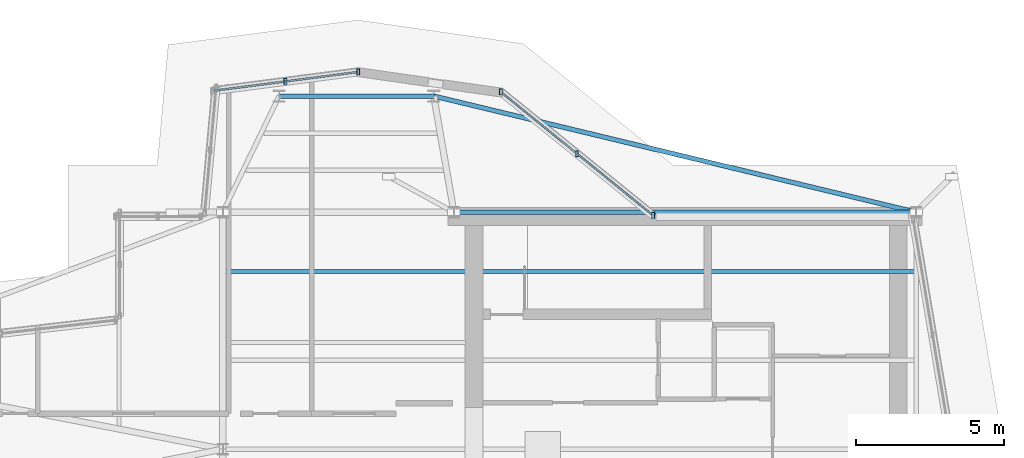
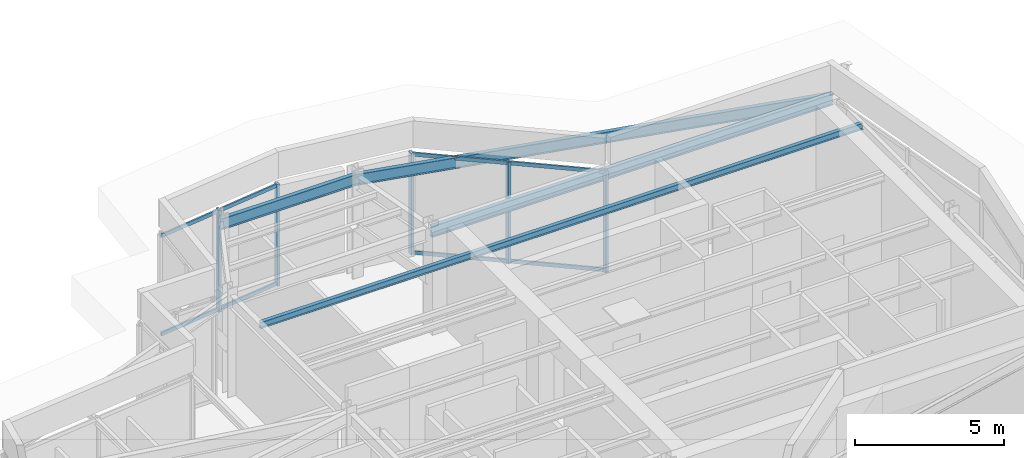
# One storey, part 6 of 11: 10 members, 3 beams, 2 elements without a shape of their own.
"""IFC4 building model written with IfcOpenShell, lengths in metres."""

from ifc_helpers import new_model, si_unit, direction, frame, origin, origin_2d, place, context, subcontext, project, spatial, hollow_rectangle, i_section, extrude, material, layer, layer_set, material_profile, profile_set, type_object, element, aggregate, save


model = new_model("IFC4")

# Units and contexts
model_context = context("Model", 3, precision=1e-05, world=origin(), true_north=direction((0.0, 1.0)))
body_context = subcontext(model_context, "Body", "Model", "MODEL_VIEW")
ifc_project = project(units=[si_unit("LENGTHUNIT", "METRE"), si_unit("AREAUNIT", "SQUARE_METRE"), si_unit("VOLUMEUNIT", "CUBIC_METRE"), si_unit("PLANEANGLEUNIT", "RADIAN"), si_unit("MASSUNIT", "GRAM", prefix="KILO")], contexts=[model_context])

# Site, building, storey
site_placement = place(None, origin())
site = spatial("IfcSite", under=ifc_project, at=site_placement, CompositionType="ELEMENT")
building_placement = place(site_placement, origin())
building = spatial("IfcBuilding", under=site, at=building_placement, Name="Veymaron Broadcast Tower", CompositionType="ELEMENT")
storey_placement = place(building_placement, frame((0.0, 0.0, 336.89990234375)))
storey = spatial("IfcBuildingStorey", under=building, at=storey_placement, Name="L79", CompositionType="ELEMENT", Elevation=336.89990234375)

# Beams
ifc_material_1 = material(Name="Structural steel ASTM A992 Gr 50", Category="steel")
ifc_material_profile_1 = material_profile(ifc_material_1, i_section(OverallWidth=0.154052734375, OverallDepth=0.458984375, WebThickness=0.009033203125, FlangeThickness=0.015380859375, at=origin_2d()), Name="W460X68")
ifc_profile_set_1 = profile_set([ifc_material_profile_1], Name="Structural steel ASTM A992 Gr 50")
beam_type = type_object("IfcBeamType", Name="BM-SP2", PredefinedType="SPANDREL", material=ifc_profile_set_1)
beam_1_placement = place(storey_placement, frame((39.0, 32.0, 3.940673828125), z_axis=(1.0, 0.0, 0.0), x_axis=(0.0, 1.0, 0.0)))
element("IfcBeam", 1, at=beam_1_placement, inside=storey, type_object=beam_type, Name="L79 primary structural floor girder", PredefinedType="SPANDREL", context=body_context, shape_type="SweptSolid", body=[
    extrude(i_section(OverallWidth=0.154052734375, OverallDepth=0.458984375, WebThickness=0.009033203125, FlangeThickness=0.015380859375, at=origin_2d()), origin(), (0.0, 0.0, 1.0), 15.60009765625),
])
beam_2_placement = place(storey_placement, frame((54.60009765625, 32.0, 3.940673828125), z_axis=(-0.972214727981, 0.23409084283, 0.0), x_axis=(-0.23409084283, -0.972214727981, 0.0)))
element("IfcBeam", 2, at=beam_2_placement, inside=storey, type_object=beam_type, Name="L79 primary structural floor girder", PredefinedType="SPANDREL", context=body_context, shape_type="SweptSolid", body=[
    extrude(i_section(OverallWidth=0.154052734375, OverallDepth=0.458984375, WebThickness=0.009033203125, FlangeThickness=0.015380859375, at=origin_2d()), origin(), (0.0, 0.0, 1.0), 16.745361328125),
])
beam_3_placement = place(storey_placement, frame((33.10400390625, 35.919921875, 3.940673828125), z_axis=(1.0, 0.0, 0.0), x_axis=(0.0, 1.0, 0.0)))
element("IfcBeam", 3, at=beam_3_placement, inside=storey, type_object=beam_type, Name="L79 primary structural floor girder", PredefinedType="SPANDREL", context=body_context, shape_type="SweptSolid", body=[
    extrude(i_section(OverallWidth=0.154052734375, OverallDepth=0.458984375, WebThickness=0.009033203125, FlangeThickness=0.015380859375, at=origin_2d()), origin(), (0.0, 0.0, 1.0), 5.216064453125),
])

# Curtain wall, members
ifc_material_2 = material(Name="Anodised aluminium AA 6063-T6 and laminated low-E dark glass", Category="aluminium")
ifc_layer = layer(ifc_material_2, 0.179931640625)
ifc_layer_set = layer_set([ifc_layer], Name="Anodised aluminium AA 6063-T6 and laminated low-E dark glass")
curtain_wall_type = type_object("IfcCurtainWallType", Name="CW-SYS-07", PredefinedType="NOTDEFINED", material=ifc_layer_set)
curtain_wall_1_placement = place(storey_placement, origin())
curtain_wall_1 = element("IfcCurtainWall", 4, at=curtain_wall_1_placement, inside=storey, type_object=curtain_wall_type, Name="L79 dark-glass curtain wall CW-L79-E5-1", PredefinedType="NOTDEFINED")
ifc_material_3 = material(Name="Anodised aluminium AA 6063-T6", Category="aluminium")
ifc_material_profile_2 = material_profile(ifc_material_3, hollow_rectangle(XDim=0.10009765625, YDim=0.199951171875, WallThickness=0.010009765625, at=origin_2d()), Name="RHS200X100X10")
ifc_profile_set_2 = profile_set([ifc_material_profile_2], Name="Anodised aluminium AA 6063-T6")
member_type_1 = type_object("IfcMemberType", Name="CW-MUL-01", PredefinedType="MULLION", material=ifc_profile_set_2)
member_1_placement = place(storey_placement, frame((45.724853515625, 31.89111328125, 0.0), z_axis=(0.0, 0.0, 1.0), x_axis=(1.0, 0.0, 0.0)))
member_1 = element("IfcMember", 5, at=member_1_placement, type_object=member_type_1, Name="CW-L79-E5-1 mullion 0", PredefinedType="MULLION", context=body_context, shape_type="SweptSolid", body=[
    extrude(hollow_rectangle(XDim=0.10009765625, YDim=0.199951171875, WallThickness=0.010009765625, at=origin_2d()), origin(), (0.0, 0.0, 1.0), 4.170166015625),
])
member_2_placement = place(storey_placement, frame((43.154296875, 33.97509765625, 0.0), z_axis=(0.0, 0.0, 1.0), x_axis=(1.0, 0.0, 0.0)))
member_2 = element("IfcMember", 6, at=member_2_placement, type_object=member_type_1, Name="CW-L79-E5-1 mullion 1", PredefinedType="MULLION", context=body_context, shape_type="SweptSolid", body=[
    extrude(hollow_rectangle(XDim=0.10009765625, YDim=0.199951171875, WallThickness=0.010009765625, at=origin_2d()), origin(), (0.0, 0.0, 1.0), 4.170166015625),
])
member_3_placement = place(storey_placement, frame((40.58349609375, 36.05908203125, 0.0), z_axis=(0.0, 0.0, 1.0), x_axis=(1.0, 0.0, 0.0)))
member_3 = element("IfcMember", 7, at=member_3_placement, type_object=member_type_1, Name="CW-L79-E5-1 mullion 2", PredefinedType="MULLION", context=body_context, shape_type="SweptSolid", body=[
    extrude(hollow_rectangle(XDim=0.10009765625, YDim=0.199951171875, WallThickness=0.010009765625, at=origin_2d()), origin(), (0.0, 0.0, 1.0), 4.170166015625),
])

curtain_wall_2_placement = place(storey_placement, origin())
curtain_wall_2 = element("IfcCurtainWall", 8, at=curtain_wall_2_placement, inside=storey, type_object=curtain_wall_type, Name="L79 dark-glass curtain wall CW-L79-E7-1", PredefinedType="NOTDEFINED")
member_4_placement = place(storey_placement, frame((35.77001953125, 36.733154296875, 0.0), z_axis=(0.0, 0.0, 1.0), x_axis=(1.0, 0.0, 0.0)))
member_4 = element("IfcMember", 9, at=member_4_placement, type_object=member_type_1, Name="CW-L79-E7-1 mullion 0", PredefinedType="MULLION", context=body_context, shape_type="SweptSolid", body=[
    extrude(hollow_rectangle(XDim=0.10009765625, YDim=0.199951171875, WallThickness=0.010009765625, at=origin_2d()), origin(), (0.0, 0.0, 1.0), 4.170166015625),
])
member_5_placement = place(storey_placement, frame((33.310302734375, 36.4130859375, 0.0), z_axis=(0.0, 0.0, 1.0), x_axis=(1.0, 0.0, 0.0)))
member_5 = element("IfcMember", 10, at=member_5_placement, type_object=member_type_1, Name="CW-L79-E7-1 mullion 1", PredefinedType="MULLION", context=body_context, shape_type="SweptSolid", body=[
    extrude(hollow_rectangle(XDim=0.10009765625, YDim=0.199951171875, WallThickness=0.010009765625, at=origin_2d()), origin(), (0.0, 0.0, 1.0), 4.170166015625),
])

# Member
ifc_material_profile_3 = material_profile(ifc_material_3, hollow_rectangle(XDim=0.06494140625, YDim=0.14990234375, WallThickness=0.00390625, at=origin_2d()), Name="AL150X65X4")
ifc_profile_set_3 = profile_set([ifc_material_profile_3], Name="Anodised aluminium AA 6063-T6")
member_type_2 = type_object("IfcMemberType", Name="CW-TRN-01", PredefinedType="USERDEFINED", material=ifc_profile_set_3)
member_6_placement = place(storey_placement, frame((45.68603515625, 31.922607421875, 0.070068359375), z_axis=(-0.776811207075, 0.629733553626, 0.0), x_axis=(-0.629733553626, -0.776811207075, 0.0)))
member_6 = element("IfcMember", 11, at=member_6_placement, type_object=member_type_2, Name="CW-L79-E5-1 transom B", ObjectType="TRANSOM", PredefinedType="USERDEFINED", context=body_context, shape_type="SweptSolid", body=[
    extrude(hollow_rectangle(XDim=0.06494140625, YDim=0.14990234375, WallThickness=0.00390625, at=origin_2d()), origin(), (0.0, 0.0, 1.0), 6.5185546875),
])

member_7_placement = place(storey_placement, frame((45.68603515625, 31.922607421875, 4.10009765625), z_axis=(-0.776811207075, 0.629733553626, 0.0), x_axis=(-0.629733553626, -0.776811207075, 0.0)))
member_7 = element("IfcMember", 12, at=member_7_placement, type_object=member_type_2, Name="CW-L79-E5-1 transom T", ObjectType="TRANSOM", PredefinedType="USERDEFINED", context=body_context, shape_type="SweptSolid", body=[
    extrude(hollow_rectangle(XDim=0.06494140625, YDim=0.14990234375, WallThickness=0.00390625, at=origin_2d()), origin(), (0.0, 0.0, 1.0), 6.5185546875),
])

aggregate(curtain_wall_1, [member_1, member_2, member_3, member_6, member_7])

member_8_placement = place(storey_placement, frame((35.720458984375, 36.726806640625, 0.070068359375), z_axis=(-0.991640971684, -0.129027839154, 0.0), x_axis=(0.129027839154, -0.991640971684, 0.0)))
member_8 = element("IfcMember", 13, at=member_8_placement, type_object=member_type_2, Name="CW-L79-E7-1 transom B", ObjectType="TRANSOM", PredefinedType="USERDEFINED", context=body_context, shape_type="SweptSolid", body=[
    extrude(hollow_rectangle(XDim=0.06494140625, YDim=0.14990234375, WallThickness=0.00390625, at=origin_2d()), origin(), (0.0, 0.0, 1.0), 4.86083984375),
])

member_9_placement = place(storey_placement, frame((35.720458984375, 36.726806640625, 4.10009765625), z_axis=(-0.991640971684, -0.129027839154, 0.0), x_axis=(0.129027839154, -0.991640971684, 0.0)))
member_9 = element("IfcMember", 14, at=member_9_placement, type_object=member_type_2, Name="CW-L79-E7-1 transom T", ObjectType="TRANSOM", PredefinedType="USERDEFINED", context=body_context, shape_type="SweptSolid", body=[
    extrude(hollow_rectangle(XDim=0.06494140625, YDim=0.14990234375, WallThickness=0.00390625, at=origin_2d()), origin(), (0.0, 0.0, 1.0), 4.86083984375),
])

aggregate(curtain_wall_2, [member_4, member_5, member_8, member_9])

ifc_material_profile_4 = material_profile(ifc_material_1, i_section(OverallWidth=0.14599609375, OverallDepth=0.258056640625, WebThickness=0.006103515625, FlangeThickness=0.009033203125, at=origin_2d()), Name="W250X33")
ifc_profile_set_4 = profile_set([ifc_material_profile_4], Name="Structural steel ASTM A992 Gr 50")
member_type_3 = type_object("IfcMemberType", Name="MEM-PR1", PredefinedType="PURLIN", material=ifc_profile_set_4)
member_10_placement = place(storey_placement, frame((31.199951171875, 30.0, 4.0400390625), z_axis=(1.0, 0.0, 0.0), x_axis=(0.0, 1.0, 0.0)))
element("IfcMember", 15, at=member_10_placement, inside=storey, type_object=member_type_3, Name="L79 Crown Parasol Canopy Purlin 5", PredefinedType="PURLIN", context=body_context, shape_type="SweptSolid", body=[
    extrude(i_section(OverallWidth=0.14599609375, OverallDepth=0.258056640625, WebThickness=0.006103515625, FlangeThickness=0.009033203125, at=origin_2d()), origin(), (0.0, 0.0, 1.0), 23.400146484375),
])

save(model, "model.ifc")
